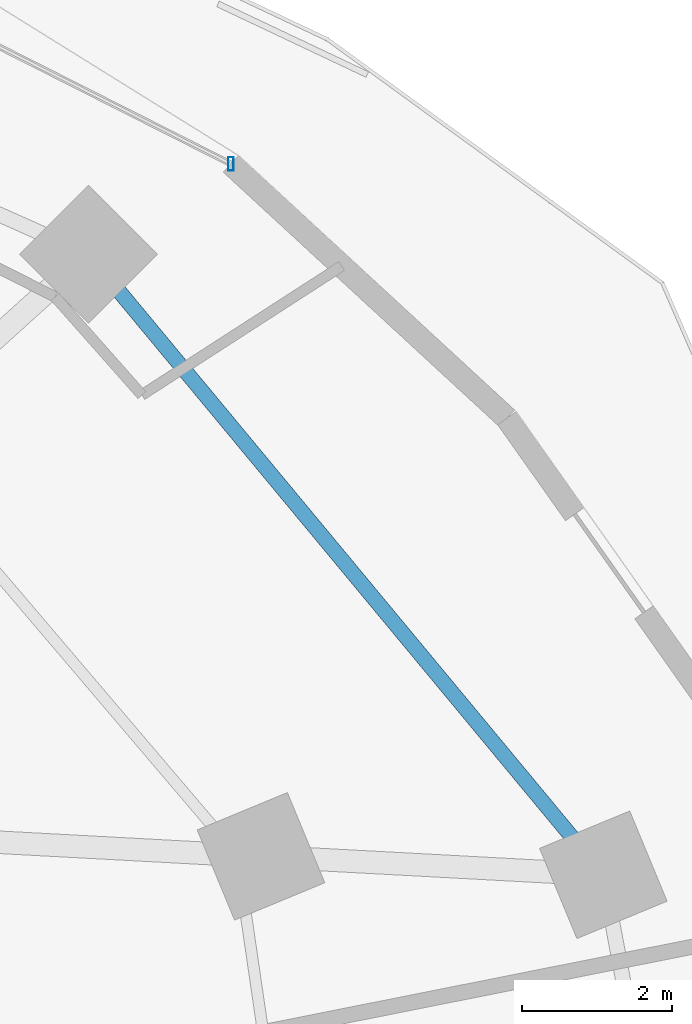
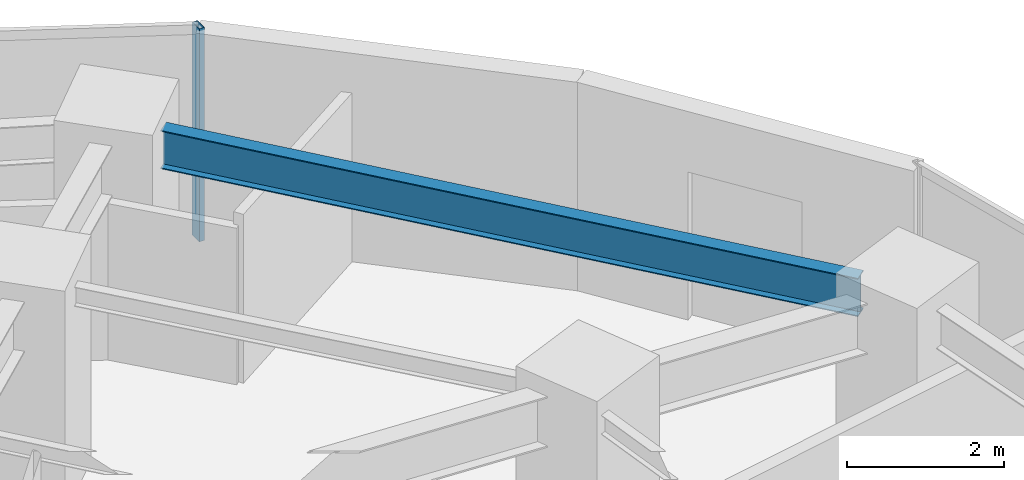
# One storey, part 24 of 33: 1 beam, 1 member, 1 element without a shape of its own.
"""IFC4 building model written with IfcOpenShell, lengths in metres."""

from ifc_helpers import new_model, si_unit, direction, frame, origin, origin_2d, place, context, subcontext, project, spatial, hollow_rectangle, i_section, extrude, material, material_profile, profile_set, type_object, element, aggregate, save


model = new_model("IFC4")

# Units and contexts
model_context = context("Model", 3, precision=1e-05, world=origin(), true_north=direction((0.0, 1.0)))
body_context = subcontext(model_context, "Body", "Model", "MODEL_VIEW")
ifc_project = project(units=[si_unit("LENGTHUNIT", "METRE"), si_unit("AREAUNIT", "SQUARE_METRE"), si_unit("VOLUMEUNIT", "CUBIC_METRE"), si_unit("PLANEANGLEUNIT", "RADIAN"), si_unit("MASSUNIT", "GRAM", prefix="KILO")], contexts=[model_context])

# Site, building, storey
site_placement = place(None, origin())
site = spatial("IfcSite", under=ifc_project, at=site_placement, CompositionType="ELEMENT")
building_placement = place(site_placement, origin())
building = spatial("IfcBuilding", under=site, at=building_placement, Name="Vorneva Point Tower", CompositionType="ELEMENT")
storey_placement = place(building_placement, frame((0.0, 0.0, 34.5)))
storey = spatial("IfcBuildingStorey", under=building, at=storey_placement, Name="L08", CompositionType="ELEMENT", Elevation=34.5)

# Beam
ifc_material_1 = material(Name="Steel S355", Category="steel")
ifc_material_profile_1 = material_profile(ifc_material_1, i_section(OverallWidth=0.198974609375, OverallDepth=0.595947265625, WebThickness=0.010009765625, FlangeThickness=0.014892578125, at=origin_2d()), Name="60B1")
ifc_profile_set_1 = profile_set([ifc_material_profile_1], Name="Steel S355")
beam_type = type_object("IfcBeamType", Name="BM-SPN-60B1", PredefinedType="SPANDREL", material=ifc_profile_set_1)
beam_placement = place(storey_placement, frame((63.448974609375, 32.825439453125, 2.94189453125), z_axis=(-0.638610485359, 0.769530147551, 0.0), x_axis=(-0.769530147551, -0.638610485359, 0.0)))
element("IfcBeam", 1, at=beam_placement, inside=storey, type_object=beam_type, Name="L08 Perimeter Spandrel Ring Beam 02", PredefinedType="SPANDREL", context=body_context, shape_type="SweptSolid", body=[
    extrude(i_section(OverallWidth=0.198974609375, OverallDepth=0.595947265625, WebThickness=0.010009765625, FlangeThickness=0.014892578125, at=origin_2d()), origin(), (0.0, 0.0, 1.0), 9.4677734375),
])

# Curtain wall, member
ifc_material_2 = material(Name="Pale anodised aluminium", Category="aluminium")
curtain_wall_type = type_object("IfcCurtainWallType", Name="CW-HTL-SYS", PredefinedType="NOTDEFINED", material=ifc_material_2)
curtain_wall_placement = place(storey_placement, origin())
curtain_wall = element("IfcCurtainWall", 2, at=curtain_wall_placement, inside=storey, type_object=curtain_wall_type, Name="L08 Unitised Curtain Wall CW-L08-R02", PredefinedType="NOTDEFINED")
ifc_material_profile_2 = material_profile(ifc_material_2, hollow_rectangle(XDim=0.074951171875, YDim=0.179931640625, WallThickness=0.00390625, at=origin_2d()), Name="AL-MUL 180x75x4")
ifc_profile_set_2 = profile_set([ifc_material_profile_2], Name="Pale anodised aluminium")
member_type = type_object("IfcMemberType", Name="CW-MUL-180", PredefinedType="MULLION", material=ifc_profile_set_2)
member_placement = place(storey_placement, frame((58.89501953125, 41.8037109375, -0.0400390625), z_axis=(0.0, 0.0, 1.0), x_axis=(1.0, 0.0, 0.0)))
member = element("IfcMember", 3, at=member_placement, type_object=member_type, Name="CW-L08-R02 Mullion 01", PredefinedType="MULLION", context=body_context, shape_type="SweptSolid", body=[
    extrude(hollow_rectangle(XDim=0.074951171875, YDim=0.179931640625, WallThickness=0.00390625, at=origin_2d()), origin(), (0.0, 0.0, 1.0), 3.31005859375),
])
aggregate(curtain_wall, [member])

save(model, "model.ifc")
